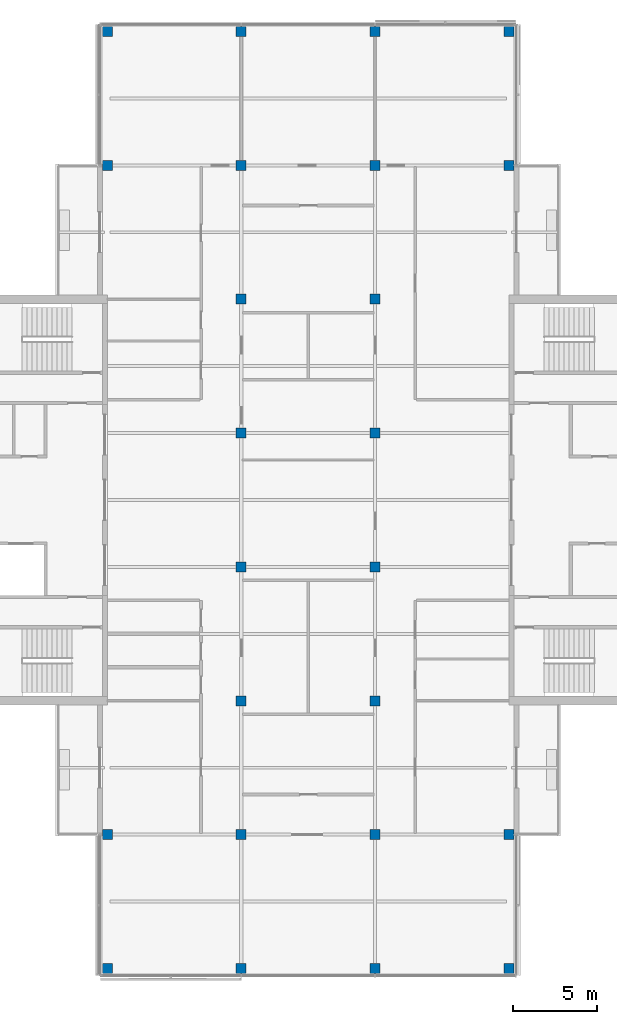
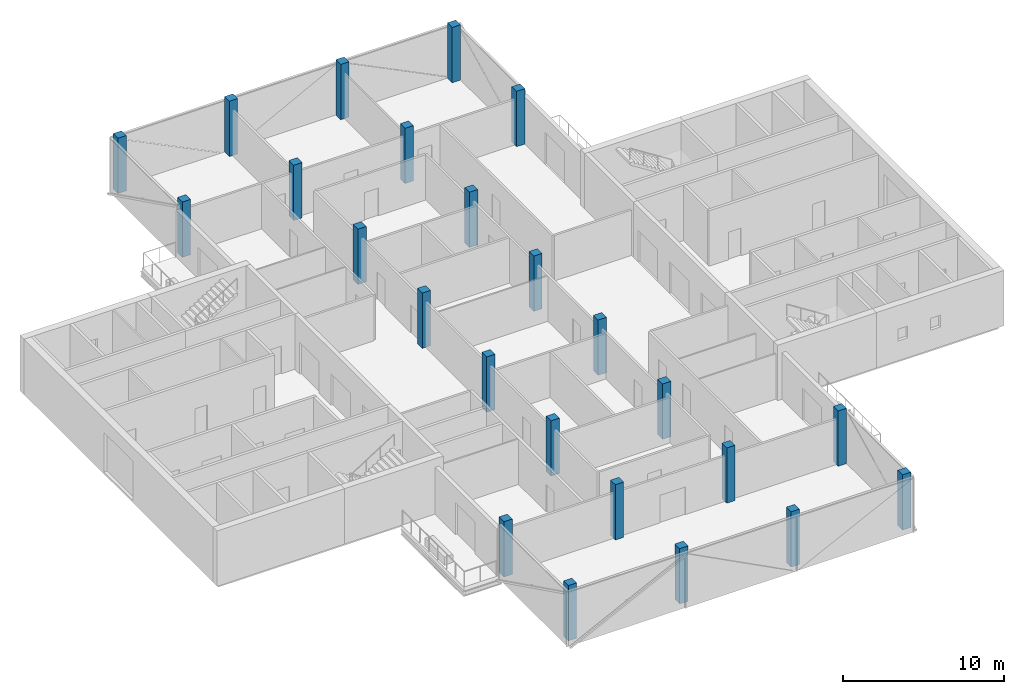
# One storey, part 1 of 12: 24 columns.
"""IFC4 building model written with IfcOpenShell, lengths in metres."""

from ifc_helpers import new_model, si_unit, direction, frame, origin, origin_2d, place, context, subcontext, project, spatial, rectangle, extrude, material, material_profile, profile_set, type_object, element, save


model = new_model("IFC4")

# Units and contexts
model_context = context("Model", 3, precision=1e-05, world=origin(), true_north=direction((0.0, 1.0)))
body_context = subcontext(model_context, "Body", "Model", "MODEL_VIEW")
ifc_project = project(units=[si_unit("LENGTHUNIT", "METRE"), si_unit("AREAUNIT", "SQUARE_METRE"), si_unit("VOLUMEUNIT", "CUBIC_METRE"), si_unit("PLANEANGLEUNIT", "RADIAN"), si_unit("MASSUNIT", "GRAM", prefix="KILO")], contexts=[model_context])

# Site, building, storey
site_placement = place(None, origin())
site = spatial("IfcSite", under=ifc_project, at=site_placement, CompositionType="ELEMENT")
building_placement = place(site_placement, origin())
building = spatial("IfcBuilding", under=site, at=building_placement, Name="Crosswind Convention Tower", CompositionType="ELEMENT")
storey_placement = place(building_placement, frame((0.0, 0.0, 311.300048828125)))
storey = spatial("IfcBuildingStorey", under=building, at=storey_placement, Name="L67", CompositionType="ELEMENT", Elevation=311.300048828125)

# Columns
ifc_material = material(Name="Concrete C60/75", Category="concrete")
ifc_material_profile = material_profile(ifc_material, rectangle(XDim=0.60009765625, YDim=0.60009765625, at=origin_2d()), Name="RC 600X600")
ifc_profile_set = profile_set([ifc_material_profile], Name="Concrete C60/75")
column_type = type_object("IfcColumnType", Name="Column RC 600X600", PredefinedType="COLUMN", material=ifc_profile_set)
for number, where, z_axis, x_axis, name in (
    (1, (113.0, 72.0, 0.0), (0.0, 0.0, 1.0), (1.0, 0.0, 0.0), "C16 L67 5/C"),
    (2, (113.0, 80.0, 0.0), (0.0, 0.0, 1.0), (1.0, 0.0, 0.0), "C16 L67 5/D"),
    (3, (113.0, 120.0, 0.0), (0.0, 0.0, 1.0), (1.0, 0.0, 0.0), "C16 L67 5/I"),
    (4, (113.0, 128.0, 0.0), (0.0, 0.0, 1.0), (1.0, 0.0, 0.0), "C16 L67 5/J"),
    (5, (121.0, 72.0, 0.0), (0.0, 0.0, 1.0), (1.0, 0.0, 0.0), "C16 L67 6/C"),
    (6, (121.0, 80.0, 0.0), (0.0, 0.0, 1.0), (1.0, 0.0, 0.0), "C16 L67 6/D"),
    (7, (121.0, 88.0, 0.0), (0.0, 0.0, 1.0), (1.0, 0.0, 0.0), "C16 L67 6/E"),
    (8, (121.0, 96.0, 0.0), (0.0, 0.0, 1.0), (1.0, 0.0, 0.0), "C16 L67 6/F"),
    (9, (121.0, 104.0, 0.0), (0.0, 0.0, 1.0), (1.0, 0.0, 0.0), "C16 L67 6/G"),
    (10, (121.0, 112.0, 0.0), (0.0, 0.0, 1.0), (1.0, 0.0, 0.0), "C16 L67 6/H"),
    (11, (121.0, 120.0, 0.0), (0.0, 0.0, 1.0), (1.0, 0.0, 0.0), "C16 L67 6/I"),
    (12, (121.0, 128.0, 0.0), (0.0, 0.0, 1.0), (1.0, 0.0, 0.0), "C16 L67 6/J"),
    (13, (129.0, 72.0, 0.0), (0.0, 0.0, 1.0), (1.0, 0.0, 0.0), "C16 L67 7/C"),
    (14, (129.0, 80.0, 0.0), (0.0, 0.0, 1.0), (1.0, 0.0, 0.0), "C16 L67 7/D"),
    (15, (129.0, 88.0, 0.0), (0.0, 0.0, 1.0), (1.0, 0.0, 0.0), "C16 L67 7/E"),
    (16, (129.0, 96.0, 0.0), (0.0, 0.0, 1.0), (1.0, 0.0, 0.0), "C16 L67 7/F"),
    (17, (129.0, 104.0, 0.0), (0.0, 0.0, 1.0), (1.0, 0.0, 0.0), "C16 L67 7/G"),
    (18, (129.0, 112.0, 0.0), (0.0, 0.0, 1.0), (1.0, 0.0, 0.0), "C16 L67 7/H"),
    (19, (129.0, 120.0, 0.0), (0.0, 0.0, 1.0), (1.0, 0.0, 0.0), "C16 L67 7/I"),
    (20, (129.0, 128.0, 0.0), (0.0, 0.0, 1.0), (1.0, 0.0, 0.0), "C16 L67 7/J"),
    (21, (137.0, 72.0, 0.0), (0.0, 0.0, 1.0), (1.0, 0.0, 0.0), "C16 L67 8/C"),
    (22, (137.0, 80.0, 0.0), (0.0, 0.0, 1.0), (1.0, 0.0, 0.0), "C16 L67 8/D"),
    (23, (137.0, 120.0, 0.0), (0.0, 0.0, 1.0), (1.0, 0.0, 0.0), "C16 L67 8/I"),
    (24, (137.0, 128.0, 0.0), (0.0, 0.0, 1.0), (1.0, 0.0, 0.0), "C16 L67 8/J"),
):
    element("IfcColumn", number, at=place(storey_placement, frame(where, z_axis=z_axis, x_axis=x_axis)), inside=storey, type_object=column_type, Name=name, PredefinedType="COLUMN", context=body_context, shape_type="SweptSolid", body=[
        extrude(rectangle(XDim=0.60009765625, YDim=0.60009765625, at=origin_2d()), origin(), (0.0, 0.0, 1.0), 4.199951171875),
    ])

save(model, "model.ifc")
